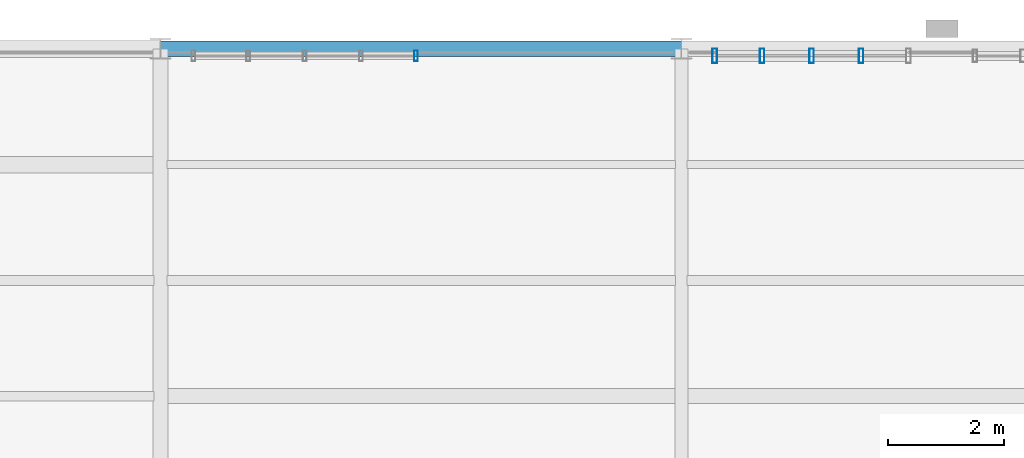
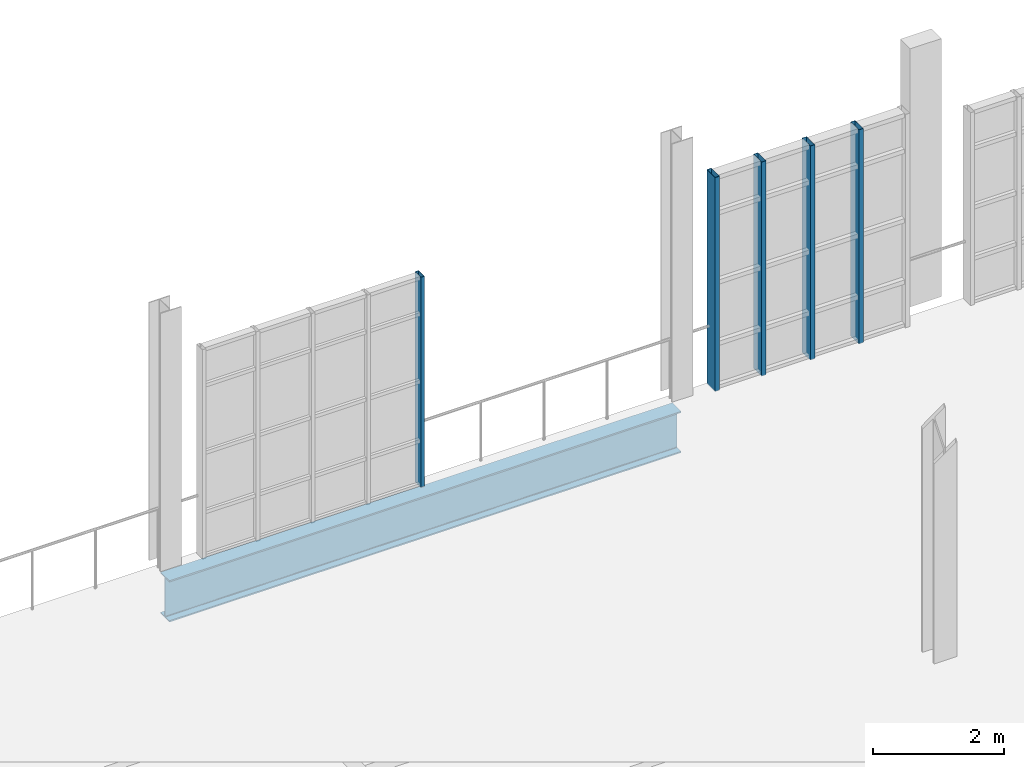
# One storey, part 51 of 122: 5 members, 1 beam, 2 elements without a shape of their own.
"""IFC4 building model written with IfcOpenShell, lengths in metres."""

from ifc_helpers import new_model, si_unit, direction, frame, origin, origin_2d, place, context, subcontext, project, spatial, hollow_rectangle, i_section, extrude, material, layer, layer_set, material_profile, profile_set, type_object, element, aggregate, save


model = new_model("IFC4")

# Units and contexts
model_context = context("Model", 3, precision=1e-05, world=origin(), true_north=direction((0.0, 1.0)))
body_context = subcontext(model_context, "Body", "Model", "MODEL_VIEW")
ifc_project = project(units=[si_unit("LENGTHUNIT", "METRE"), si_unit("AREAUNIT", "SQUARE_METRE"), si_unit("VOLUMEUNIT", "CUBIC_METRE"), si_unit("PLANEANGLEUNIT", "RADIAN"), si_unit("MASSUNIT", "GRAM", prefix="KILO"), si_unit("THERMODYNAMICTEMPERATUREUNIT", "KELVIN"), si_unit("POWERUNIT", "WATT")], contexts=[model_context])

# Site, building, storey
site_placement = place(None, origin())
site = spatial("IfcSite", under=ifc_project, at=site_placement, CompositionType="ELEMENT")
building_placement = place(site_placement, origin())
building = spatial("IfcBuilding", under=site, at=building_placement, Name="Zelmaris Science Centre", CompositionType="ELEMENT")
storey_placement = place(building_placement, frame((0.0, 0.0, 10.800048828125)))
storey = spatial("IfcBuildingStorey", under=building, at=storey_placement, Name="L02", CompositionType="ELEMENT", Elevation=10.800048828125)

# Curtain wall, member
ifc_material_1 = material(Name="Anodised architectural aluminium 6063-T6", Category="aluminium")
ifc_layer_1 = layer(ifc_material_1, 0.2099609375, Name="Anodised architectural aluminium 6063-T6")
ifc_layer_set_1 = layer_set([ifc_layer_1], Name="Anodised architectural aluminium 6063-T6")
curtain_wall_type_1 = type_object("IfcCurtainWallType", Name="Curtain Wall CW-03", PredefinedType="USERDEFINED", material=ifc_layer_set_1)
curtain_wall_1_placement = place(storey_placement, origin())
curtain_wall_1 = element("IfcCurtainWall", 1, at=curtain_wall_1_placement, inside=storey, type_object=curtain_wall_type_1, Name="L02 Unitised curtain wall 211", ObjectType="GLAZED CURTAIN WALL", PredefinedType="USERDEFINED")
ifc_material_profile_1 = material_profile(ifc_material_1, hollow_rectangle(XDim=0.06494140625, YDim=0.179931640625, WallThickness=0.00390625, at=origin_2d()), Name="ALU-MUL-65X180")
ifc_profile_set_1 = profile_set([ifc_material_profile_1], Name="Anodised architectural aluminium 6063-T6")
member_type_1 = type_object("IfcMemberType", Name="ALU-MUL-65X180", PredefinedType="MULLION", material=ifc_profile_set_1)
member_1_placement = place(storey_placement, frame((85.41162109375, 87.8798828125, -0.01513671875), z_axis=(0.0, 0.0, 1.0), x_axis=(1.0, 0.0, 0.0)))
member_1 = element("IfcMember", 2, at=member_1_placement, type_object=member_type_1, Name="CW-03 mullion 5", PredefinedType="MULLION", context=body_context, shape_type="SweptSolid", body=[
    extrude(hollow_rectangle(XDim=0.06494140625, YDim=0.179931640625, WallThickness=0.00390625, at=origin_2d()), origin(), (0.0, 0.0, 1.0), 3.908203125),
])
aggregate(curtain_wall_1, [member_1])

# Curtain wall, members
ifc_layer_2 = layer(ifc_material_1, 0.18994140625, Name="Anodised architectural aluminium 6063-T6")
ifc_layer_set_2 = layer_set([ifc_layer_2], Name="Anodised architectural aluminium 6063-T6")
curtain_wall_type_2 = type_object("IfcCurtainWallType", Name="Curtain Wall CW-01", PredefinedType="USERDEFINED", material=ifc_layer_set_2)
curtain_wall_2_placement = place(storey_placement, origin())
curtain_wall_2 = element("IfcCurtainWall", 3, at=curtain_wall_2_placement, inside=storey, type_object=curtain_wall_type_2, Name="L02 Unitised curtain wall 213", ObjectType="GLAZED CURTAIN WALL", PredefinedType="USERDEFINED")
ifc_material_profile_2 = material_profile(ifc_material_1, hollow_rectangle(XDim=0.080078125, YDim=0.25, WallThickness=0.0048828125, at=origin_2d()), Name="ALU-MUL-80X250")
ifc_profile_set_2 = profile_set([ifc_material_profile_2], Name="Anodised architectural aluminium 6063-T6")
member_type_2 = type_object("IfcMemberType", Name="ALU-MUL-80X250", PredefinedType="MULLION", material=ifc_profile_set_2)
member_2_placement = place(storey_placement, frame((90.575927734375, 87.8798828125, -0.01513671875), z_axis=(0.0, 0.0, 1.0), x_axis=(1.0, 0.0, 0.0)))
member_2 = element("IfcMember", 4, at=member_2_placement, type_object=member_type_2, Name="CW-01 mullion 1", PredefinedType="MULLION", context=body_context, shape_type="SweptSolid", body=[
    extrude(hollow_rectangle(XDim=0.080078125, YDim=0.25, WallThickness=0.0048828125, at=origin_2d()), origin(), (0.0, 0.0, 1.0), 3.982177734375),
])
member_3_placement = place(storey_placement, frame((91.39501953125, 87.8798828125, -0.01513671875), z_axis=(0.0, 0.0, 1.0), x_axis=(1.0, 0.0, 0.0)))
member_3 = element("IfcMember", 5, at=member_3_placement, type_object=member_type_2, Name="CW-01 mullion 2", PredefinedType="MULLION", context=body_context, shape_type="SweptSolid", body=[
    extrude(hollow_rectangle(XDim=0.080078125, YDim=0.25, WallThickness=0.0048828125, at=origin_2d()), origin(), (0.0, 0.0, 1.0), 3.982177734375),
])
member_4_placement = place(storey_placement, frame((92.25, 87.8798828125, -0.01513671875), z_axis=(0.0, 0.0, 1.0), x_axis=(1.0, 0.0, 0.0)))
member_4 = element("IfcMember", 6, at=member_4_placement, type_object=member_type_2, Name="CW-01 mullion 3", PredefinedType="MULLION", context=body_context, shape_type="SweptSolid", body=[
    extrude(hollow_rectangle(XDim=0.080078125, YDim=0.25, WallThickness=0.0048828125, at=origin_2d()), origin(), (0.0, 0.0, 1.0), 3.982177734375),
])
member_5_placement = place(storey_placement, frame((93.10498046875, 87.8798828125, -0.01513671875), z_axis=(0.0, 0.0, 1.0), x_axis=(1.0, 0.0, 0.0)))
member_5 = element("IfcMember", 7, at=member_5_placement, type_object=member_type_2, Name="CW-01 mullion 4", PredefinedType="MULLION", context=body_context, shape_type="SweptSolid", body=[
    extrude(hollow_rectangle(XDim=0.080078125, YDim=0.25, WallThickness=0.0048828125, at=origin_2d()), origin(), (0.0, 0.0, 1.0), 3.982177734375),
])
aggregate(curtain_wall_2, [member_2, member_3, member_4, member_5])

# Beam
ifc_material_2 = material(Name="Steel ASTM A992 Grade 50", Category="steel")
ifc_material_profile_3 = material_profile(ifc_material_2, i_section(OverallWidth=0.26708984375, OverallDepth=0.77001953125, WebThickness=0.015625, FlangeThickness=0.025390625, FilletRadius=0.01904296875, at=origin_2d()), Name="W30X132")
ifc_profile_set_3 = profile_set([ifc_material_profile_3], Name="Steel ASTM A992 Grade 50")
beam_type = type_object("IfcBeamType", Name="Beam G-09 W30X132", PredefinedType="BEAM", material=ifc_profile_set_3)
beam_placement = place(storey_placement, frame((81.0, 88.0, -0.64501953125), z_axis=(1.0, 0.0, 0.0), x_axis=(0.0, 1.0, 0.0)))
element("IfcBeam", 8, at=beam_placement, inside=storey, type_object=beam_type, Name="L02 East-west girder 593", PredefinedType="BEAM", context=body_context, shape_type="SweptSolid", body=[
    extrude(i_section(OverallWidth=0.26708984375, OverallDepth=0.77001953125, WebThickness=0.015625, FlangeThickness=0.025390625, FilletRadius=0.01904296875, at=origin_2d()), origin(), (0.0, 0.0, 1.0), 9.0),
])

save(model, "model.ifc")
